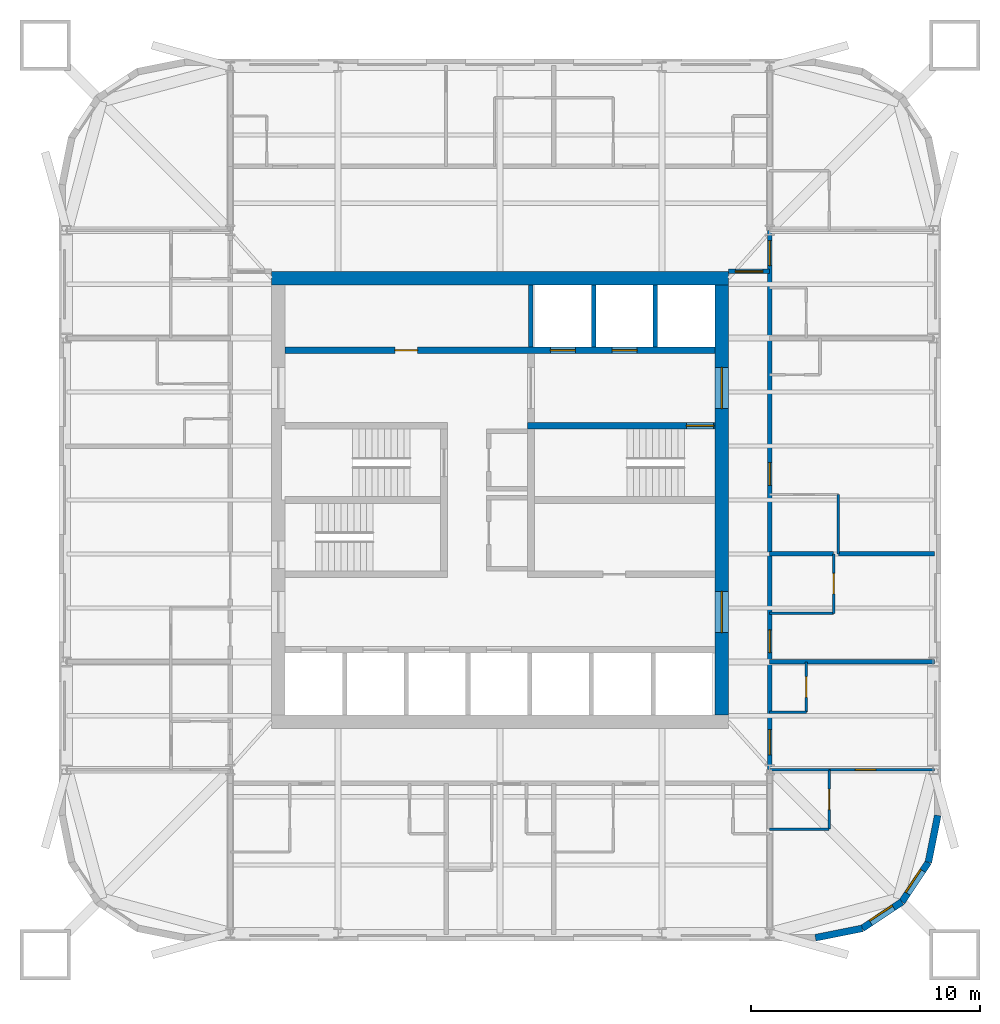
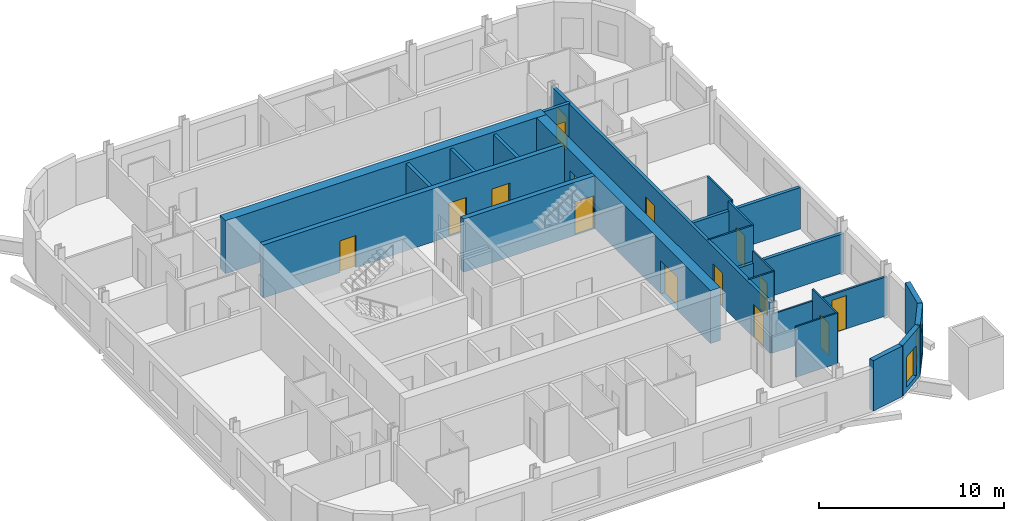
# One storey, part 5 of 8: 25 walls, 15 doors, 2 windows, 17 openings.
"""IFC4 building model written with IfcOpenShell, lengths in metres."""

from ifc_helpers import new_model, si_unit, direction, frame, frame_2d, origin, place, context, subcontext, project, spatial, rectangle, extrude, material, layer, layer_set, type_object, element, fill, save


model = new_model("IFC4")

# Units and contexts
model_context = context("Model", 3, precision=1e-05, world=origin(), true_north=direction((0.0, 1.0)))
body_context = subcontext(model_context, "Body", "Model", "MODEL_VIEW")
ifc_project = project(units=[si_unit("LENGTHUNIT", "METRE"), si_unit("AREAUNIT", "SQUARE_METRE"), si_unit("VOLUMEUNIT", "CUBIC_METRE"), si_unit("PLANEANGLEUNIT", "RADIAN"), si_unit("MASSUNIT", "GRAM", prefix="KILO")], contexts=[model_context])

# Site, building, storey
site_placement = place(None, origin())
site = spatial("IfcSite", under=ifc_project, at=site_placement, CompositionType="ELEMENT")
building_placement = place(site_placement, origin())
building = spatial("IfcBuilding", under=site, at=building_placement, Name="Turquesa Mirador Hotel Tower", CompositionType="ELEMENT")
storey_placement = place(building_placement, frame((0.0, 0.0, 168.800048828125)))
storey = spatial("IfcBuildingStorey", under=building, at=storey_placement, Name="L45", CompositionType="ELEMENT", Elevation=168.800048828125)

# Walls
ifc_material_1 = material(Name="Gypsum board on steel studs", Category="steel")
ifc_layer_1 = layer(ifc_material_1, 0.10009765625)
ifc_layer_set_1 = layer_set([ifc_layer_1], Name="BATHROOM WALL 100")
wall_type_1 = type_object("IfcWallType", Name="BATHROOM WALL 100", PredefinedType="PARTITIONING", material=ifc_layer_set_1)
wall_1_placement = place(storey_placement, frame((66.800048828125, 33.199951171875, 0.0), z_axis=(0.0, 0.0, 1.0), x_axis=(1.0, 0.0, 0.0)))
element("IfcWall", 1, at=wall_1_placement, inside=storey, type_object=wall_type_1, Name="Partition L45 001", PredefinedType="PARTITIONING", context=body_context, shape_type="SweptSolid", body=[
    extrude(rectangle(XDim=2.599853515625, YDim=0.10009765625, at=frame_2d((1.2998046875, 0.0))), origin(), (0.0, 0.0, 1.0), 2.572998046875),
])
wall_2_placement = place(storey_placement, frame((66.800048828125, 30.60009765625, 0.0), z_axis=(0.0, 0.0, 1.0), x_axis=(1.0, 0.0, 0.0)))
element("IfcWall", 2, at=wall_2_placement, inside=storey, type_object=wall_type_1, Name="Partition L45 005", PredefinedType="PARTITIONING", context=body_context, shape_type="SweptSolid", body=[
    extrude(rectangle(XDim=2.599853515625, YDim=0.10009765625, at=frame_2d((1.2998046875, 0.0))), origin(), (0.0, 0.0, 1.0), 3.329833984375),
])
wall_3_placement = place(storey_placement, frame((66.800048828125, 40.0400390625, 0.0), z_axis=(0.0, 0.0, 1.0), x_axis=(1.0, 0.0, 0.0)))
element("IfcWall", 3, at=wall_3_placement, inside=storey, type_object=wall_type_1, Name="Partition L45 015", PredefinedType="PARTITIONING", context=body_context, shape_type="SweptSolid", body=[
    extrude(rectangle(XDim=2.800048828125, YDim=0.10009765625, at=frame_2d((1.39990234375, 0.0))), origin(), (0.0, 0.0, 1.0), 3.329833984375),
])
wall_4_placement = place(storey_placement, frame((66.800048828125, 35.719970703125, 0.0), z_axis=(0.0, 0.0, 1.0), x_axis=(1.0, 0.0, 0.0)))
element("IfcWall", 4, at=wall_4_placement, inside=storey, type_object=wall_type_1, Name="Partition L45 018", PredefinedType="PARTITIONING", context=body_context, shape_type="SweptSolid", body=[
    extrude(rectangle(XDim=1.599853515625, YDim=0.10009765625, at=frame_2d((0.7998046875, 0.0))), origin(), (0.0, 0.0, 1.0), 3.329833984375),
])

# Wall, opening, door
wall_5_placement = place(storey_placement, frame((68.39990234375, 35.719970703125, 0.0), z_axis=(0.0, 0.0, 1.0), x_axis=(0.0, 1.0, 0.0)))
wall_5 = element("IfcWall", 5, at=wall_5_placement, inside=storey, type_object=wall_type_1, Name="Partition L45 062", PredefinedType="PARTITIONING", context=body_context, shape_type="SweptSolid", body=[
    extrude(rectangle(XDim=2.199951171875, YDim=0.10009765625, at=frame_2d((1.10009765625, 0.0))), origin(), (0.0, 0.0, 1.0), 3.329833984375),
])
opening_1_placement = place(wall_5_placement, frame((0.64990234375, 0.0, 0.0)))
opening_1 = element("IfcOpeningElement", 6, at=opening_1_placement, cuts=wall_5, Name="Opening D06", PredefinedType="OPENING", context=body_context, shape_type="SweptSolid", body=[
    extrude(rectangle(XDim=0.89990234375, YDim=2.10009765625, at=frame_2d((0.449951171875, 1.050048828125))), frame((0.0, 0.06005859375, 0.0), z_axis=(0.0, -1.0, 0.0), x_axis=(1.0, 0.0, 0.0)), (0.0, 0.0, 1.0), 0.1201171875),
])
ifc_material_2 = material(Name="Laminate door", Category="wood")
door_type_1 = type_object("IfcDoorType", Name="DOOR 900X2100 WC", OperationType="SINGLE_SWING_LEFT", PredefinedType="DOOR", material=ifc_material_2)
door_1_placement = place(opening_1_placement, origin())
door_1 = element("IfcDoor", 7, at=door_1_placement, inside=storey, type_object=door_type_1, Name="Door 4512W", OperationType="SINGLE_SWING_LEFT", OverallHeight=2.10009765625, OverallWidth=0.89990234375, PredefinedType="DOOR", context=body_context, shape_type="SweptSolid", body=[
    extrude(rectangle(XDim=0.89990234375, YDim=2.10009765625, at=frame_2d((0.449951171875, 1.050048828125))), frame((0.0, 0.02490234375, 0.0), z_axis=(0.0, -1.0, 0.0), x_axis=(1.0, 0.0, 0.0)), (0.0, 0.0, 1.0), 0.050048828125),
])
fill(opening_1, door_1)

wall_6_placement = place(storey_placement, frame((69.39990234375, 30.60009765625, 0.0), z_axis=(0.0, 0.0, 1.0), x_axis=(0.0, 1.0, 0.0)))
wall_6 = element("IfcWall", 8, at=wall_6_placement, inside=storey, type_object=wall_type_1, Name="Partition L45 065", PredefinedType="PARTITIONING", context=body_context, shape_type="SweptSolid", body=[
    extrude(rectangle(XDim=2.599853515625, YDim=0.10009765625, at=frame_2d((1.2998046875, 0.0))), origin(), (0.0, 0.0, 1.0), 3.329833984375),
])
opening_2_placement = place(wall_6_placement, frame((0.85009765625, 0.0, 0.0)))
opening_2 = element("IfcOpeningElement", 9, at=opening_2_placement, cuts=wall_6, Name="Opening D02", PredefinedType="OPENING", context=body_context, shape_type="SweptSolid", body=[
    extrude(rectangle(XDim=0.89990234375, YDim=2.10009765625, at=frame_2d((0.449951171875, 1.050048828125))), frame((0.0, 0.06005859375, 0.0), z_axis=(0.0, -1.0, 0.0), x_axis=(1.0, 0.0, 0.0)), (0.0, 0.0, 1.0), 0.1201171875),
])
ifc_material_3 = material(Name="Timber veneered door", Category="wood")
door_type_2 = type_object("IfcDoorType", Name="DOOR 900X2100 EN-SUITE", OperationType="SINGLE_SWING_RIGHT", PredefinedType="DOOR", material=ifc_material_3)
door_2_placement = place(opening_2_placement, origin())
door_2 = element("IfcDoor", 10, at=door_2_placement, inside=storey, type_object=door_type_2, Name="Door 4512B", OperationType="SINGLE_SWING_RIGHT", OverallHeight=2.10009765625, OverallWidth=0.89990234375, PredefinedType="DOOR", context=body_context, shape_type="SweptSolid", body=[
    extrude(rectangle(XDim=0.89990234375, YDim=2.10009765625, at=frame_2d((0.449951171875, 1.050048828125))), frame((0.0, 0.02490234375, 0.0), z_axis=(0.0, -1.0, 0.0), x_axis=(1.0, 0.0, 0.0)), (0.0, 0.0, 1.0), 0.050048828125),
])
fill(opening_2, door_2)

wall_7_placement = place(storey_placement, frame((69.60009765625, 40.0400390625, 0.0), z_axis=(0.0, 0.0, 1.0), x_axis=(0.0, 1.0, 0.0)))
wall_7 = element("IfcWall", 11, at=wall_7_placement, inside=storey, type_object=wall_type_1, Name="Partition L45 067", PredefinedType="PARTITIONING", context=body_context, shape_type="SweptSolid", body=[
    extrude(rectangle(XDim=2.599853515625, YDim=0.10009765625, at=frame_2d((1.2998046875, 0.0))), origin(), (0.0, 0.0, 1.0), 3.329833984375),
])
opening_3_placement = place(wall_7_placement, frame((0.85009765625, 0.0, 0.0)))
opening_3 = element("IfcOpeningElement", 12, at=opening_3_placement, cuts=wall_7, Name="Opening D02", PredefinedType="OPENING", context=body_context, shape_type="SweptSolid", body=[
    extrude(rectangle(XDim=0.89990234375, YDim=2.10009765625, at=frame_2d((0.449951171875, 1.050048828125))), frame((0.0, 0.06005859375, 0.0), z_axis=(0.0, -1.0, 0.0), x_axis=(1.0, 0.0, 0.0)), (0.0, 0.0, 1.0), 0.1201171875),
])
door_3_placement = place(opening_3_placement, origin())
door_3 = element("IfcDoor", 13, at=door_3_placement, inside=storey, type_object=door_type_2, Name="Door 4506B", OperationType="SINGLE_SWING_RIGHT", OverallHeight=2.10009765625, OverallWidth=0.89990234375, PredefinedType="DOOR", context=body_context, shape_type="SweptSolid", body=[
    extrude(rectangle(XDim=0.89990234375, YDim=2.10009765625, at=frame_2d((0.449951171875, 1.050048828125))), frame((0.0, 0.02490234375, 0.0), z_axis=(0.0, -1.0, 0.0), x_axis=(1.0, 0.0, 0.0)), (0.0, 0.0, 1.0), 0.050048828125),
])
fill(opening_3, door_3)

# Wall
wall_8_placement = place(storey_placement, frame((69.800048828125, 42.639892578125, 0.0), z_axis=(0.0, 0.0, 1.0), x_axis=(0.0, 1.0, 0.0)))
element("IfcWall", 14, at=wall_8_placement, inside=storey, type_object=wall_type_1, Name="Partition L45 068", PredefinedType="PARTITIONING", context=body_context, shape_type="SweptSolid", body=[
    extrude(rectangle(XDim=2.60009765625, YDim=0.10009765625, at=frame_2d((1.300048828125, 0.0))), origin(), (0.0, 0.0, 1.0), 3.329833984375),
])

# Wall, openings, doors
ifc_material_4 = material(Name="Concrete C50/60", Category="concrete")
ifc_layer_2 = layer(ifc_material_4, 0.300048828125)
ifc_layer_set_2 = layer_set([ifc_layer_2], Name="CORE INNER WALL 300")
wall_type_2 = type_object("IfcWallType", Name="CORE INNER WALL 300", PredefinedType="SHEAR", material=ifc_layer_set_2)
wall_9_placement = place(storey_placement, frame((45.60009765625, 51.550048828125, 0.0), z_axis=(0.0, 0.0, 1.0), x_axis=(1.0, 0.0, 0.0)))
wall_9 = element("IfcWall", 15, at=wall_9_placement, inside=storey, type_object=wall_type_2, Name="Core wall NL", PredefinedType="SHEAR", context=body_context, shape_type="SweptSolid", body=[
    extrude(rectangle(XDim=18.7998046875, YDim=0.300048828125, at=frame_2d((9.39990234375, 0.0))), origin(), (0.0, 0.0, 1.0), 3.5),
])
opening_4_placement = place(wall_9_placement, frame((4.800048828125, 0.0, 0.0)))
opening_4 = element("IfcOpeningElement", 16, at=opening_4_placement, cuts=wall_9, Name="Opening D05", PredefinedType="OPENING", context=body_context, shape_type="SweptSolid", body=[
    extrude(rectangle(XDim=1.0, YDim=2.10009765625, at=frame_2d((0.5, 1.050048828125))), frame((0.0, 0.159912109375, 0.0), z_axis=(0.0, -1.0, 0.0), x_axis=(1.0, 0.0, 0.0)), (0.0, 0.0, 1.0), 0.320068359375),
])
opening_5_placement = place(wall_9_placement, frame((11.60009765625, 0.0, 0.0)))
opening_5 = element("IfcOpeningElement", 17, at=opening_5_placement, cuts=wall_9, Name="Opening LD", PredefinedType="OPENING", context=body_context, shape_type="SweptSolid", body=[
    extrude(rectangle(XDim=1.10009765625, YDim=2.199951171875, at=frame_2d((0.550048828125, 1.10009765625))), frame((0.0, 0.159912109375, 0.0), z_axis=(0.0, -1.0, 0.0), x_axis=(1.0, 0.0, 0.0)), (0.0, 0.0, 1.0), 0.320068359375),
])
opening_6_placement = place(wall_9_placement, frame((14.300048828125, 0.0, 0.0)))
opening_6 = element("IfcOpeningElement", 18, at=opening_6_placement, cuts=wall_9, Name="Opening LD", PredefinedType="OPENING", context=body_context, shape_type="SweptSolid", body=[
    extrude(rectangle(XDim=1.10009765625, YDim=2.199951171875, at=frame_2d((0.550048828125, 1.10009765625))), frame((0.0, 0.159912109375, 0.0), z_axis=(0.0, -1.0, 0.0), x_axis=(1.0, 0.0, 0.0)), (0.0, 0.0, 1.0), 0.320068359375),
])
ifc_material_5 = material(Name="Steel fire door", Category="steel")
door_type_3 = type_object("IfcDoorType", Name="DOOR 1000X2100 SERVICE", OperationType="SINGLE_SWING_LEFT", PredefinedType="DOOR", material=ifc_material_5)
door_4_placement = place(opening_4_placement, origin())
door_4 = element("IfcDoor", 19, at=door_4_placement, inside=storey, type_object=door_type_3, Name="Linen store door", OperationType="SINGLE_SWING_LEFT", OverallHeight=2.10009765625, OverallWidth=1.0, PredefinedType="DOOR", context=body_context, shape_type="SweptSolid", body=[
    extrude(rectangle(XDim=1.0, YDim=2.10009765625, at=frame_2d((0.5, 1.050048828125))), frame((0.0, 0.02490234375, 0.0), z_axis=(0.0, -1.0, 0.0), x_axis=(1.0, 0.0, 0.0)), (0.0, 0.0, 1.0), 0.050048828125),
])
fill(opening_4, door_4)
ifc_material_6 = material(Name="Stainless steel lift landing door", Category="steel")
door_type_4 = type_object("IfcDoorType", Name="LIFT LANDING DOOR 1100X2200", OperationType="SLIDING_TO_LEFT", PredefinedType="DOOR", material=ifc_material_6)
door_5_placement = place(opening_5_placement, origin())
door_5 = element("IfcDoor", 20, at=door_5_placement, inside=storey, type_object=door_type_4, Name="Lift S1 landing door", OperationType="SLIDING_TO_LEFT", OverallHeight=2.199951171875, OverallWidth=1.10009765625, PredefinedType="DOOR", context=body_context, shape_type="SweptSolid", body=[
    extrude(rectangle(XDim=1.10009765625, YDim=2.199951171875, at=frame_2d((0.550048828125, 1.10009765625))), frame((0.0, 0.02490234375, 0.0), z_axis=(0.0, -1.0, 0.0), x_axis=(1.0, 0.0, 0.0)), (0.0, 0.0, 1.0), 0.050048828125),
])
fill(opening_5, door_5)
door_6_placement = place(opening_6_placement, origin())
door_6 = element("IfcDoor", 21, at=door_6_placement, inside=storey, type_object=door_type_4, Name="Lift S2 landing door", OperationType="SLIDING_TO_LEFT", OverallHeight=2.199951171875, OverallWidth=1.10009765625, PredefinedType="DOOR", context=body_context, shape_type="SweptSolid", body=[
    extrude(rectangle(XDim=1.10009765625, YDim=2.199951171875, at=frame_2d((0.550048828125, 1.10009765625))), frame((0.0, 0.02490234375, 0.0), z_axis=(0.0, -1.0, 0.0), x_axis=(1.0, 0.0, 0.0)), (0.0, 0.0, 1.0), 0.050048828125),
])
fill(opening_6, door_6)

# Wall, opening, door
wall_10_placement = place(storey_placement, frame((56.199951171875, 48.25, 0.0), z_axis=(0.0, 0.0, 1.0), x_axis=(1.0, 0.0, 0.0)))
wall_10 = element("IfcWall", 22, at=wall_10_placement, inside=storey, type_object=wall_type_2, Name="Core wall MN-E", PredefinedType="SHEAR", context=body_context, shape_type="SweptSolid", body=[
    extrude(rectangle(XDim=8.199951171875, YDim=0.300048828125, at=frame_2d((4.10009765625, 0.0))), origin(), (0.0, 0.0, 1.0), 3.5),
])
opening_7_placement = place(wall_10_placement, frame((6.949951171875, 0.0, 0.0)))
opening_7 = element("IfcOpeningElement", 23, at=opening_7_placement, cuts=wall_10, Name="Opening D03", PredefinedType="OPENING", context=body_context, shape_type="SweptSolid", body=[
    extrude(rectangle(XDim=1.199951171875, YDim=2.199951171875, at=frame_2d((0.60009765625, 1.10009765625))), frame((0.0, 0.159912109375, 0.0), z_axis=(0.0, -1.0, 0.0), x_axis=(1.0, 0.0, 0.0)), (0.0, 0.0, 1.0), 0.320068359375),
])
ifc_material_7 = material(Name="Steel fire door", Category="steel")
door_type_5 = type_object("IfcDoorType", Name="DOOR 1200X2200 STAIR", OperationType="SINGLE_SWING_LEFT", PredefinedType="DOOR", material=ifc_material_7)
door_7_placement = place(opening_7_placement, origin())
door_7 = element("IfcDoor", 24, at=door_7_placement, inside=storey, type_object=door_type_5, Name="Stair ST3 door", OperationType="SINGLE_SWING_LEFT", OverallHeight=2.199951171875, OverallWidth=1.199951171875, PredefinedType="DOOR", context=body_context, shape_type="SweptSolid", body=[
    extrude(rectangle(XDim=1.199951171875, YDim=2.199951171875, at=frame_2d((0.60009765625, 1.10009765625))), frame((0.0, 0.02490234375, 0.0), z_axis=(0.0, -1.0, 0.0), x_axis=(1.0, 0.0, 0.0)), (0.0, 0.0, 1.0), 0.050048828125),
])
fill(opening_7, door_7)

# Wall
ifc_material_8 = material(Name="Concrete C50/60", Category="concrete")
ifc_layer_3 = layer(ifc_material_8, 0.60009765625)
ifc_layer_set_3 = layer_set([ifc_layer_3], Name="CORE WALL 600")
wall_type_3 = type_object("IfcWallType", Name="CORE WALL 600", PredefinedType="SHEAR", material=ifc_layer_set_3)
wall_11_placement = place(storey_placement, frame((45.0, 54.699951171875, 0.0), z_axis=(0.0, 0.0, 1.0), x_axis=(1.0, 0.0, 0.0)))
element("IfcWall", 25, at=wall_11_placement, inside=storey, type_object=wall_type_3, Name="Core wall N", PredefinedType="SHEAR", context=body_context, shape_type="SweptSolid", body=[
    extrude(rectangle(XDim=20.0, YDim=0.60009765625, at=frame_2d((10.0, 0.0))), origin(), (0.0, 0.0, 1.0), 3.5),
])

# Wall, openings, doors
wall_12_placement = place(storey_placement, frame((64.699951171875, 35.60009765625, 0.0), z_axis=(0.0, 0.0, 1.0), x_axis=(0.0, 1.0, 0.0)))
wall_12 = element("IfcWall", 26, at=wall_12_placement, inside=storey, type_object=wall_type_3, Name="Core wall E", PredefinedType="SHEAR", context=body_context, shape_type="SweptSolid", body=[
    extrude(rectangle(XDim=18.7998046875, YDim=0.60009765625, at=frame_2d((9.39990234375, 0.0))), origin(), (0.0, 0.0, 1.0), 3.5),
])
opening_8_placement = place(wall_12_placement, frame((13.39990234375, 0.0, 0.0)))
opening_8 = element("IfcOpeningElement", 27, at=opening_8_placement, cuts=wall_12, Name="Opening D04", PredefinedType="OPENING", context=body_context, shape_type="SweptSolid", body=[
    extrude(rectangle(XDim=1.800048828125, YDim=2.199951171875, at=frame_2d((0.89990234375, 1.10009765625))), frame((0.0, 0.31005859375, 0.0), z_axis=(0.0, -1.0, 0.0), x_axis=(1.0, 0.0, 0.0)), (0.0, 0.0, 1.0), 0.6201171875),
])
opening_9_placement = place(wall_12_placement, frame((3.60009765625, 0.0, 0.0)))
opening_9 = element("IfcOpeningElement", 28, at=opening_9_placement, cuts=wall_12, Name="Opening D04", PredefinedType="OPENING", context=body_context, shape_type="SweptSolid", body=[
    extrude(rectangle(XDim=1.800048828125, YDim=2.199951171875, at=frame_2d((0.89990234375, 1.10009765625))), frame((0.0, 0.31005859375, 0.0), z_axis=(0.0, -1.0, 0.0), x_axis=(1.0, 0.0, 0.0)), (0.0, 0.0, 1.0), 0.6201171875),
])
ifc_material_9 = material(Name="Steel fire door pair", Category="steel")
door_type_6 = type_object("IfcDoorType", Name="DOOR 1800X2200 PAIR", OperationType="DOUBLE_DOOR_SINGLE_SWING", PredefinedType="DOOR", material=ifc_material_9)
door_8_placement = place(opening_8_placement, origin())
door_8 = element("IfcDoor", 29, at=door_8_placement, inside=storey, type_object=door_type_6, Name="Firefighting lobby door", OperationType="DOUBLE_DOOR_SINGLE_SWING", OverallHeight=2.199951171875, OverallWidth=1.800048828125, PredefinedType="DOOR", context=body_context, shape_type="SweptSolid", body=[
    extrude(rectangle(XDim=1.800048828125, YDim=2.199951171875, at=frame_2d((0.89990234375, 1.10009765625))), frame((0.0, 0.02490234375, 0.0), z_axis=(0.0, -1.0, 0.0), x_axis=(1.0, 0.0, 0.0)), (0.0, 0.0, 1.0), 0.050048828125),
])
fill(opening_8, door_8)
door_9_placement = place(opening_9_placement, origin())
door_9 = element("IfcDoor", 30, at=door_9_placement, inside=storey, type_object=door_type_6, Name="South lift lobby door", OperationType="DOUBLE_DOOR_SINGLE_SWING", OverallHeight=2.199951171875, OverallWidth=1.800048828125, PredefinedType="DOOR", context=body_context, shape_type="SweptSolid", body=[
    extrude(rectangle(XDim=1.800048828125, YDim=2.199951171875, at=frame_2d((0.89990234375, 1.10009765625))), frame((0.0, 0.02490234375, 0.0), z_axis=(0.0, -1.0, 0.0), x_axis=(1.0, 0.0, 0.0)), (0.0, 0.0, 1.0), 0.050048828125),
])
fill(opening_9, door_9)

# Wall, opening, door
ifc_material_10 = material(Name="Fire-rated gypsum board on steel studs", Category="steel")
ifc_layer_4 = layer(ifc_material_10, 0.199951171875)
ifc_layer_set_4 = layer_set([ifc_layer_4], Name="CORRIDOR WALL 200")
wall_type_4 = type_object("IfcWallType", Name="CORRIDOR WALL 200", PredefinedType="PARTITIONING", material=ifc_layer_set_4)
wall_13_placement = place(storey_placement, frame((65.0, 55.0, 0.0), z_axis=(0.0, 0.0, 1.0), x_axis=(1.0, 0.0, 0.0)))
wall_13 = element("IfcWall", 31, at=wall_13_placement, inside=storey, type_object=wall_type_4, Name="Partition L45 022", PredefinedType="PARTITIONING", context=body_context, shape_type="SweptSolid", body=[
    extrude(rectangle(XDim=1.800048828125, YDim=0.199951171875, at=frame_2d((0.89990234375, 0.0))), origin(), (0.0, 0.0, 1.0), 3.329833984375),
])
opening_10_placement = place(wall_13_placement, frame((0.300048828125, 0.0, 0.0)))
opening_10 = element("IfcOpeningElement", 32, at=opening_10_placement, cuts=wall_13, Name="Opening D19", PredefinedType="OPENING", context=body_context, shape_type="SweptSolid", body=[
    extrude(rectangle(XDim=1.199951171875, YDim=2.199951171875, at=frame_2d((0.60009765625, 1.10009765625))), frame((0.0, 0.10986328125, 0.0), z_axis=(0.0, -1.0, 0.0), x_axis=(1.0, 0.0, 0.0)), (0.0, 0.0, 1.0), 0.219970703125),
])
ifc_material_11 = material(Name="Steel glazed fire door", Category="steel")
door_type_7 = type_object("IfcDoorType", Name="DOOR 1200X2200 FIRE DOOR GLAZED", OperationType="SINGLE_SWING_LEFT", PredefinedType="DOOR", material=ifc_material_11)
door_10_placement = place(opening_10_placement, origin())
door_10 = element("IfcDoor", 33, at=door_10_placement, inside=storey, type_object=door_type_7, Name="Door L45-C03-1", OperationType="SINGLE_SWING_LEFT", OverallHeight=2.199951171875, OverallWidth=1.199951171875, PredefinedType="DOOR", context=body_context, shape_type="SweptSolid", body=[
    extrude(rectangle(XDim=1.199951171875, YDim=2.199951171875, at=frame_2d((0.60009765625, 1.10009765625))), frame((0.0, 0.02490234375, 0.0), z_axis=(0.0, -1.0, 0.0), x_axis=(1.0, 0.0, 0.0)), (0.0, 0.0, 1.0), 0.050048828125),
])
fill(opening_10, door_10)

# Wall, openings, doors
wall_14_placement = place(storey_placement, frame((66.800048828125, 33.219970703125, 0.0), z_axis=(0.0, 0.0, 1.0), x_axis=(0.0, 1.0, 0.0)))
wall_14 = element("IfcWall", 34, at=wall_14_placement, inside=storey, type_object=wall_type_4, Name="Partition L45 058", PredefinedType="PARTITIONING", context=body_context, shape_type="SweptSolid", body=[
    extrude(rectangle(XDim=23.56005859375, YDim=0.199951171875, at=frame_2d((11.780029296875, 0.0))), origin(), (0.0, 0.0, 1.0), 3.329833984375),
])
opening_11_placement = place(wall_14_placement, frame((5.10009765625, 0.0, 0.0)))
opening_11 = element("IfcOpeningElement", 35, at=opening_11_placement, cuts=wall_14, Name="Opening D01", PredefinedType="OPENING", context=body_context, shape_type="SweptSolid", body=[
    extrude(rectangle(XDim=1.0, YDim=2.199951171875, at=frame_2d((0.5, 1.10009765625))), frame((0.0, 0.10986328125, 0.0), z_axis=(0.0, -1.0, 0.0), x_axis=(1.0, 0.0, 0.0)), (0.0, 0.0, 1.0), 0.219970703125),
])
opening_12_placement = place(wall_14_placement, frame((12.419921875, 0.0, 0.0)))
opening_12 = element("IfcOpeningElement", 36, at=opening_12_placement, cuts=wall_14, Name="Opening D01", PredefinedType="OPENING", context=body_context, shape_type="SweptSolid", body=[
    extrude(rectangle(XDim=1.0, YDim=2.199951171875, at=frame_2d((0.5, 1.10009765625))), frame((0.0, 0.10986328125, 0.0), z_axis=(0.0, -1.0, 0.0), x_axis=(1.0, 0.0, 0.0)), (0.0, 0.0, 1.0), 0.219970703125),
])
opening_13_placement = place(wall_14_placement, frame((22.030029296875, 0.0, 0.0)))
opening_13 = element("IfcOpeningElement", 37, at=opening_13_placement, cuts=wall_14, Name="Opening D15", PredefinedType="OPENING", context=body_context, shape_type="SweptSolid", body=[
    extrude(rectangle(XDim=1.10009765625, YDim=2.199951171875, at=frame_2d((0.550048828125, 1.10009765625))), frame((0.0, 0.10986328125, 0.0), z_axis=(0.0, -1.0, 0.0), x_axis=(1.0, 0.0, 0.0)), (0.0, 0.0, 1.0), 0.219970703125),
])
opening_14_placement = place(wall_14_placement, frame((0.6298828125, 0.0, 0.0)))
opening_14 = element("IfcOpeningElement", 38, at=opening_14_placement, cuts=wall_14, Name="Opening D15", PredefinedType="OPENING", context=body_context, shape_type="SweptSolid", body=[
    extrude(rectangle(XDim=1.10009765625, YDim=2.199951171875, at=frame_2d((0.550048828125, 1.10009765625))), frame((0.0, 0.10986328125, 0.0), z_axis=(0.0, -1.0, 0.0), x_axis=(1.0, 0.0, 0.0)), (0.0, 0.0, 1.0), 0.219970703125),
])
ifc_material_12 = material(Name="Timber veneered fire door", Category="wood")
door_type_8 = type_object("IfcDoorType", Name="DOOR 1000X2200 GUEST ENTRY", OperationType="SINGLE_SWING_LEFT", PredefinedType="DOOR", material=ifc_material_12)
door_11_placement = place(opening_11_placement, origin())
door_11 = element("IfcDoor", 39, at=door_11_placement, inside=storey, type_object=door_type_8, Name="Door 4506", OperationType="SINGLE_SWING_LEFT", OverallHeight=2.199951171875, OverallWidth=1.0, PredefinedType="DOOR", context=body_context, shape_type="SweptSolid", body=[
    extrude(rectangle(XDim=1.0, YDim=2.199951171875, at=frame_2d((0.5, 1.10009765625))), frame((0.0, 0.02490234375, 0.0), z_axis=(0.0, -1.0, 0.0), x_axis=(1.0, 0.0, 0.0)), (0.0, 0.0, 1.0), 0.050048828125),
])
fill(opening_11, door_11)
door_12_placement = place(opening_12_placement, origin())
door_12 = element("IfcDoor", 40, at=door_12_placement, inside=storey, type_object=door_type_8, Name="Door 4507", OperationType="SINGLE_SWING_LEFT", OverallHeight=2.199951171875, OverallWidth=1.0, PredefinedType="DOOR", context=body_context, shape_type="SweptSolid", body=[
    extrude(rectangle(XDim=1.0, YDim=2.199951171875, at=frame_2d((0.5, 1.10009765625))), frame((0.0, 0.02490234375, 0.0), z_axis=(0.0, -1.0, 0.0), x_axis=(1.0, 0.0, 0.0)), (0.0, 0.0, 1.0), 0.050048828125),
])
fill(opening_12, door_12)
ifc_material_13 = material(Name="Timber veneered fire door", Category="wood")
door_type_9 = type_object("IfcDoorType", Name="DOOR 1100X2200 SUITE ENTRY", OperationType="SINGLE_SWING_LEFT", PredefinedType="DOOR", material=ifc_material_13)
door_13_placement = place(opening_13_placement, origin())
door_13 = element("IfcDoor", 41, at=door_13_placement, inside=storey, type_object=door_type_9, Name="Door 4509", OperationType="SINGLE_SWING_LEFT", OverallHeight=2.199951171875, OverallWidth=1.10009765625, PredefinedType="DOOR", context=body_context, shape_type="SweptSolid", body=[
    extrude(rectangle(XDim=1.10009765625, YDim=2.199951171875, at=frame_2d((0.550048828125, 1.10009765625))), frame((0.0, 0.02490234375, 0.0), z_axis=(0.0, -1.0, 0.0), x_axis=(1.0, 0.0, 0.0)), (0.0, 0.0, 1.0), 0.050048828125),
])
fill(opening_13, door_13)
door_14_placement = place(opening_14_placement, origin())
door_14 = element("IfcDoor", 42, at=door_14_placement, inside=storey, type_object=door_type_9, Name="Door 4512", OperationType="SINGLE_SWING_LEFT", OverallHeight=2.199951171875, OverallWidth=1.10009765625, PredefinedType="DOOR", context=body_context, shape_type="SweptSolid", body=[
    extrude(rectangle(XDim=1.10009765625, YDim=2.199951171875, at=frame_2d((0.550048828125, 1.10009765625))), frame((0.0, 0.02490234375, 0.0), z_axis=(0.0, -1.0, 0.0), x_axis=(1.0, 0.0, 0.0)), (0.0, 0.0, 1.0), 0.050048828125),
])
fill(opening_14, door_14)

# Wall
ifc_material_14 = material(Name="Limestone cladding on concrete block", Category="masonry")
ifc_layer_5 = layer(ifc_material_14, 0.300048828125)
ifc_layer_set_5 = layer_set([ifc_layer_5], Name="FACADE WALL 300 STONE SCREEN")
wall_type_5 = type_object("IfcWallType", Name="FACADE WALL 300 STONE SCREEN", PredefinedType="SOLIDWALL", material=ifc_layer_set_5)
wall_15_placement = place(storey_placement, frame((68.800048828125, 25.85009765625, 0.0), z_axis=(0.0, 0.0, 1.0), x_axis=(0.980787050784, 0.195081421501, 0.0)))
element("IfcWall", 43, at=wall_15_placement, inside=storey, type_object=wall_type_5, Name="Facade wall L45 00", PredefinedType="SOLIDWALL", context=body_context, shape_type="SweptSolid", body=[
    extrude(rectangle(XDim=2.08740234375, YDim=0.300048828125, at=frame_2d((1.043701171875, 0.0))), origin(), (0.0, 0.0, 1.0), 3.329833984375),
])

# Wall, opening, window
wall_16_placement = place(storey_placement, frame((70.847412109375, 26.25732421875, 0.0), z_axis=(0.0, 0.0, 1.0), x_axis=(0.831474039234, 0.555563607591, 0.0)))
wall_16 = element("IfcWall", 44, at=wall_16_placement, inside=storey, type_object=wall_type_5, Name="Facade wall L45 01", PredefinedType="SOLIDWALL", context=body_context, shape_type="SweptSolid", body=[
    extrude(rectangle(XDim=2.08740234375, YDim=0.300048828125, at=frame_2d((1.043701171875, 0.0))), origin(), (0.0, 0.0, 1.0), 3.329833984375),
])
opening_15_placement = place(wall_16_placement, frame((0.443603515625, 0.0, 0.300048828125)))
opening_15 = element("IfcOpeningElement", 45, at=opening_15_placement, cuts=wall_16, Name="Opening WN4", PredefinedType="OPENING", context=body_context, shape_type="SweptSolid", body=[
    extrude(rectangle(XDim=1.199951171875, YDim=2.0, at=frame_2d((0.60009765625, 1.0))), frame((0.0, 0.159912109375, 0.0), z_axis=(0.0, -1.0, 0.0), x_axis=(1.0, 0.0, 0.0)), (0.0, 0.0, 1.0), 0.320068359375),
])
ifc_material_15 = material(Name="Ceramic-fritted laminated glass", Category="glass")
window_type = type_object("IfcWindowType", Name="FRITTED CORNER WINDOW 1200X2000", PartitioningType="DOUBLE_PANEL_HORIZONTAL", PredefinedType="WINDOW", material=ifc_material_15)
window_1_placement = place(opening_15_placement, origin())
window_1 = element("IfcWindow", 46, at=window_1_placement, inside=storey, type_object=window_type, Name="Window L45", OverallHeight=2.0, OverallWidth=1.199951171875, PartitioningType="SINGLE_PANEL", PredefinedType="WINDOW", context=body_context, shape_type="SweptSolid", body=[
    extrude(rectangle(XDim=1.199951171875, YDim=2.0, at=frame_2d((0.60009765625, 1.0))), frame((0.0, 0.130126953125, 0.0), z_axis=(0.0, -1.0, 0.0), x_axis=(1.0, 0.0, 0.0)), (0.0, 0.0, 1.0), 0.06005859375),
])
fill(opening_15, window_1)

wall_17_placement = place(storey_placement, frame((72.5830078125, 27.4169921875, 0.0), z_axis=(0.0, 0.0, 1.0), x_axis=(0.555563607591, 0.831474039234, 0.0)))
wall_17 = element("IfcWall", 47, at=wall_17_placement, inside=storey, type_object=wall_type_5, Name="Facade wall L45 02", PredefinedType="SOLIDWALL", context=body_context, shape_type="SweptSolid", body=[
    extrude(rectangle(XDim=2.08740234375, YDim=0.300048828125, at=frame_2d((1.043701171875, 0.0))), origin(), (0.0, 0.0, 1.0), 3.329833984375),
])
opening_16_placement = place(wall_17_placement, frame((0.443603515625, 0.0, 0.300048828125)))
opening_16 = element("IfcOpeningElement", 48, at=opening_16_placement, cuts=wall_17, Name="Opening WN4", PredefinedType="OPENING", context=body_context, shape_type="SweptSolid", body=[
    extrude(rectangle(XDim=1.199951171875, YDim=2.0, at=frame_2d((0.60009765625, 1.0))), frame((0.0, 0.159912109375, 0.0), z_axis=(0.0, -1.0, 0.0), x_axis=(1.0, 0.0, 0.0)), (0.0, 0.0, 1.0), 0.320068359375),
])
window_2_placement = place(opening_16_placement, origin())
window_2 = element("IfcWindow", 49, at=window_2_placement, inside=storey, type_object=window_type, Name="Window L45", OverallHeight=2.0, OverallWidth=1.199951171875, PartitioningType="SINGLE_PANEL", PredefinedType="WINDOW", context=body_context, shape_type="SweptSolid", body=[
    extrude(rectangle(XDim=1.199951171875, YDim=2.0, at=frame_2d((0.60009765625, 1.0))), frame((0.0, 0.130126953125, 0.0), z_axis=(0.0, -1.0, 0.0), x_axis=(1.0, 0.0, 0.0)), (0.0, 0.0, 1.0), 0.06005859375),
])
fill(opening_16, window_2)

# Walls
wall_18_placement = place(storey_placement, frame((73.74267578125, 29.152587890625, 0.0), z_axis=(0.0, 0.0, 1.0), x_axis=(0.195081421501, 0.980787050784, 0.0)))
element("IfcWall", 50, at=wall_18_placement, inside=storey, type_object=wall_type_5, Name="Facade wall L45 03", PredefinedType="SOLIDWALL", context=body_context, shape_type="SweptSolid", body=[
    extrude(rectangle(XDim=2.08740234375, YDim=0.300048828125, at=frame_2d((1.043701171875, 0.0))), origin(), (0.0, 0.0, 1.0), 3.329833984375),
])
ifc_material_16 = material(Name="Fire-rated gypsum shaft wall on steel studs", Category="steel")
ifc_layer_6 = layer(ifc_material_16, 0.199951171875)
ifc_layer_set_6 = layer_set([ifc_layer_6], Name="LIFT SHAFT DIVIDER 200")
wall_type_6 = type_object("IfcWallType", Name="LIFT SHAFT DIVIDER 200", PredefinedType="PARTITIONING", material=ifc_layer_set_6)
for number, where, z_axis, x_axis, name in (
    (51, (59.10009765625, 51.699951171875, 0.0), (0.0, 0.0, 1.0), (0.0, 1.0, 0.0), "Lift shaft divider"),
    (52, (61.800048828125, 51.699951171875, 0.0), (0.0, 0.0, 1.0), (0.0, 1.0, 0.0), "Lift shaft divider"),
    (53, (56.35009765625, 51.699951171875, 0.0), (0.0, 0.0, 1.0), (0.0, 1.0, 0.0), "Lift shaft divider"),
):
    element("IfcWall", number, at=place(storey_placement, frame(where, z_axis=z_axis, x_axis=x_axis)), inside=storey, type_object=wall_type_6, Name=name, PredefinedType="PARTITIONING", context=body_context, shape_type="SweptSolid", body=[
        extrude(rectangle(XDim=2.699951171875, YDim=0.199951171875, at=frame_2d((1.35009765625, 0.0))), origin(), (0.0, 0.0, 1.0), 3.329833984375),
    ])
ifc_material_17 = material(Name="Fire-rated gypsum board on steel studs", Category="steel")
ifc_layer_7 = layer(ifc_material_17, 0.199951171875)
ifc_layer_set_7 = layer_set([ifc_layer_7], Name="PARTY WALL 200")
wall_type_7 = type_object("IfcWallType", Name="PARTY WALL 200", PredefinedType="PARTITIONING", material=ifc_layer_set_7)
wall_19_placement = place(storey_placement, frame((66.800048828125, 42.639892578125, 0.0), z_axis=(0.0, 0.0, 1.0), x_axis=(1.0, 0.0, 0.0)))
element("IfcWall", 54, at=wall_19_placement, inside=storey, type_object=wall_type_7, Name="Partition L45 012", PredefinedType="PARTITIONING", context=body_context, shape_type="SweptSolid", body=[
    extrude(rectangle(XDim=2.800048828125, YDim=0.199951171875, at=frame_2d((1.39990234375, 0.0))), origin(), (0.0, 0.0, 1.0), 2.73046875),
])
wall_20_placement = place(storey_placement, frame((69.800048828125, 42.639892578125, 0.0), z_axis=(0.0, 0.0, 1.0), x_axis=(1.0, 0.0, 0.0)))
element("IfcWall", 55, at=wall_20_placement, inside=storey, type_object=wall_type_7, Name="Partition L45 013", PredefinedType="PARTITIONING", context=body_context, shape_type="SweptSolid", body=[
    extrude(rectangle(XDim=4.199951171875, YDim=0.199951171875, at=frame_2d((2.10009765625, 0.0))), origin(), (0.0, 0.0, 1.0), 2.73046875),
])
wall_21_placement = place(storey_placement, frame((66.800048828125, 37.919921875, 0.0), z_axis=(0.0, 0.0, 1.0), x_axis=(1.0, 0.0, 0.0)))
element("IfcWall", 56, at=wall_21_placement, inside=storey, type_object=wall_type_7, Name="Partition L45 017", PredefinedType="PARTITIONING", context=body_context, shape_type="SweptSolid", body=[
    extrude(rectangle(XDim=7.199951171875, YDim=0.199951171875, at=frame_2d((3.60009765625, 0.0))), origin(), (0.0, 0.0, 1.0), 2.572998046875),
])

# Wall, opening, door
ifc_material_18 = material(Name="Acoustic gypsum board on steel studs", Category="steel")
ifc_layer_8 = layer(ifc_material_18, 0.125)
ifc_layer_set_8 = layer_set([ifc_layer_8], Name="SUITE PARTITION 125")
wall_type_8 = type_object("IfcWallType", Name="SUITE PARTITION 125", PredefinedType="PARTITIONING", material=ifc_layer_set_8)
wall_22_placement = place(storey_placement, frame((69.39990234375, 33.199951171875, 0.0), z_axis=(0.0, 0.0, 1.0), x_axis=(1.0, 0.0, 0.0)))
wall_22 = element("IfcWall", 57, at=wall_22_placement, inside=storey, type_object=wall_type_8, Name="Partition L45 003", PredefinedType="PARTITIONING", context=body_context, shape_type="SweptSolid", body=[
    extrude(rectangle(XDim=4.60009765625, YDim=0.125, at=frame_2d((2.300048828125, 0.0))), origin(), (0.0, 0.0, 1.0), 2.572998046875),
])
opening_17_placement = place(wall_22_placement, frame((1.14990234375, 0.0, 0.0)))
opening_17 = element("IfcOpeningElement", 58, at=opening_17_placement, cuts=wall_22, Name="Opening D17", PredefinedType="OPENING", context=body_context, shape_type="SweptSolid", body=[
    extrude(rectangle(XDim=0.89990234375, YDim=2.199951171875, at=frame_2d((0.449951171875, 1.10009765625))), frame((0.0, 0.072509765625, 0.0), z_axis=(0.0, -1.0, 0.0), x_axis=(1.0, 0.0, 0.0)), (0.0, 0.0, 1.0), 0.14501953125),
])
ifc_material_19 = material(Name="Timber veneered door", Category="wood")
door_type_10 = type_object("IfcDoorType", Name="DOOR 900X2200 SUITE INTERNAL", OperationType="SINGLE_SWING_LEFT", PredefinedType="DOOR", material=ifc_material_19)
door_15_placement = place(opening_17_placement, origin())
door_15 = element("IfcDoor", 59, at=door_15_placement, inside=storey, type_object=door_type_10, Name="Door 4512R", OperationType="SINGLE_SWING_LEFT", OverallHeight=2.199951171875, OverallWidth=0.89990234375, PredefinedType="DOOR", context=body_context, shape_type="SweptSolid", body=[
    extrude(rectangle(XDim=0.89990234375, YDim=2.199951171875, at=frame_2d((0.449951171875, 1.10009765625))), frame((0.0, 0.02490234375, 0.0), z_axis=(0.0, -1.0, 0.0), x_axis=(1.0, 0.0, 0.0)), (0.0, 0.0, 1.0), 0.050048828125),
])
fill(opening_17, door_15)

save(model, "model.ifc")
